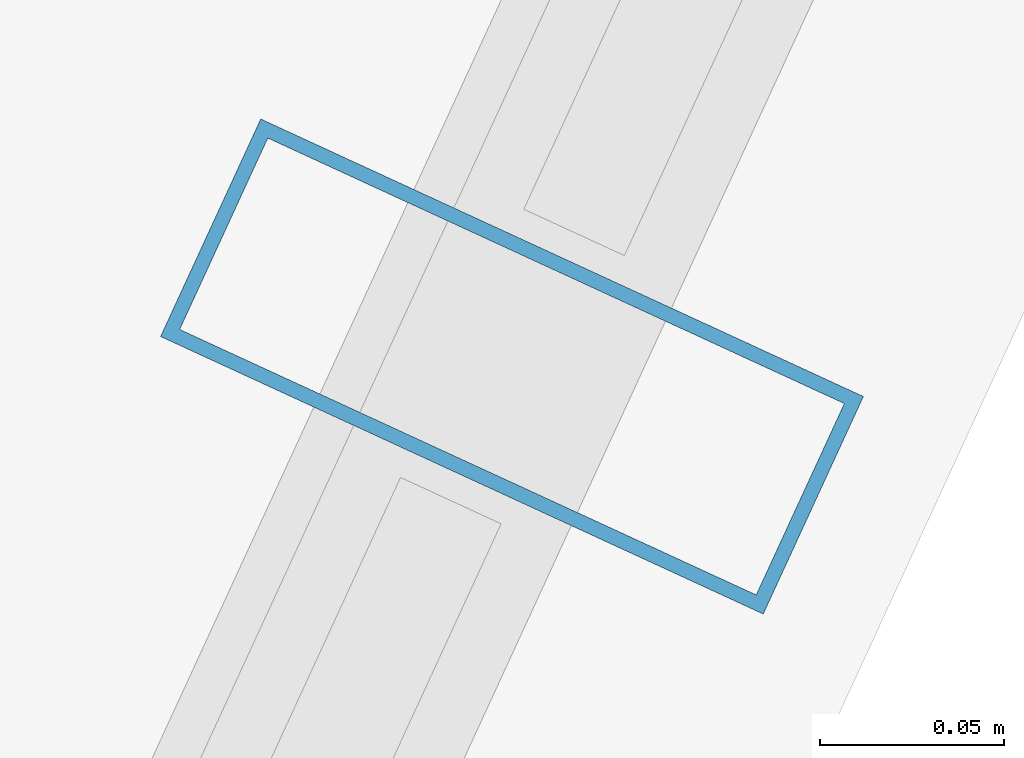
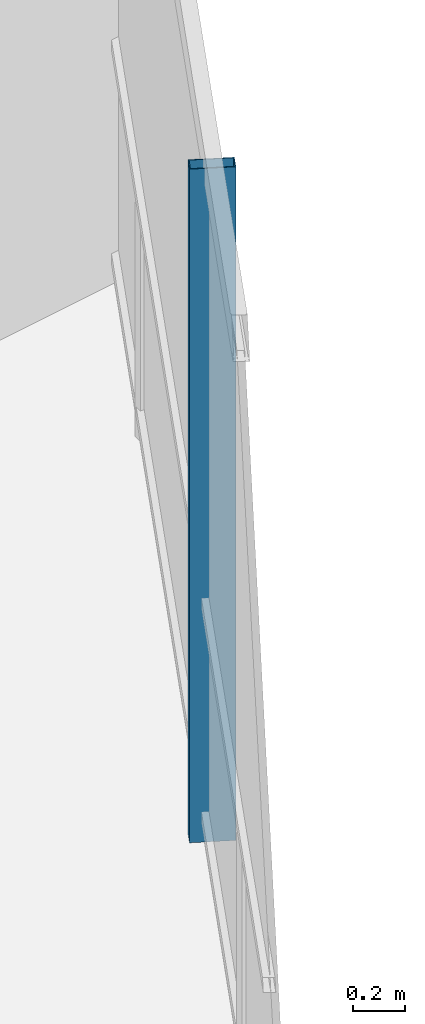
# One storey, part 14 of 30: 1 member, 1 element without a shape of its own.
"""IFC4 building model written with IfcOpenShell, lengths in metres."""

from ifc_helpers import new_model, si_unit, direction, frame, origin, origin_2d, place, context, subcontext, project, spatial, hollow_rectangle, extrude, material, layer, layer_set, material_profile, profile_set, type_object, element, aggregate, save


model = new_model("IFC4")

# Units and contexts
model_context = context("Model", 3, precision=1e-05, world=origin(), true_north=direction((0.0, 1.0)))
body_context = subcontext(model_context, "Body", "Model", "MODEL_VIEW")
ifc_project = project(units=[si_unit("LENGTHUNIT", "METRE"), si_unit("AREAUNIT", "SQUARE_METRE"), si_unit("VOLUMEUNIT", "CUBIC_METRE"), si_unit("PLANEANGLEUNIT", "RADIAN"), si_unit("MASSUNIT", "GRAM", prefix="KILO")], contexts=[model_context])

# Site, building, storey
site_placement = place(None, origin())
site = spatial("IfcSite", under=ifc_project, at=site_placement, CompositionType="ELEMENT")
building_placement = place(site_placement, origin())
building = spatial("IfcBuilding", under=site, at=building_placement, Name="Qarnah Convention Tower", CompositionType="ELEMENT")
storey_placement = place(building_placement, frame((0.0, 0.0, 86.699951171875)))
storey = spatial("IfcBuildingStorey", under=building, at=storey_placement, Name="L22", CompositionType="ELEMENT", Elevation=86.699951171875)

# Curtain wall, member
ifc_material_1 = material(Name="Tempered Low-E dark glass", Category="glass")
ifc_layer = layer(ifc_material_1, 0.169921875)
ifc_layer_set = layer_set([ifc_layer], Name="Tempered Low-E dark glass")
curtain_wall_type = type_object("IfcCurtainWallType", Name="CWS-02", PredefinedType="NOTDEFINED", material=ifc_layer_set)
curtain_wall_placement = place(storey_placement, origin())
curtain_wall = element("IfcCurtainWall", 1, at=curtain_wall_placement, inside=storey, type_object=curtain_wall_type, Name="L22 unitised curtain wall CW-L22-F3", PredefinedType="NOTDEFINED")
ifc_material_2 = material(Name="Black anodised aluminium", Category="aluminium")
ifc_material_profile = material_profile(ifc_material_2, hollow_rectangle(XDim=0.06494140625, YDim=0.179931640625, WallThickness=0.00390625, at=origin_2d()), Name="MUL-65X180")
ifc_profile_set = profile_set([ifc_material_profile], Name="Black anodised aluminium")
member_type = type_object("IfcMemberType", Name="MUL-T2", PredefinedType="MULLION", material=ifc_profile_set)
member_placement = place(storey_placement, frame((58.728515625, 27.646484375, 0.0), z_axis=(0.0, 0.0, 1.0), x_axis=(-0.418223177755, -0.908344303438, 0.0)))
member = element("IfcMember", 2, at=member_placement, type_object=member_type, Name="CW-L22-F3 mullion 2", PredefinedType="MULLION", context=body_context, shape_type="SweptSolid", body=[
    extrude(hollow_rectangle(XDim=0.06494140625, YDim=0.179931640625, WallThickness=0.00390625, at=origin_2d()), origin(), (0.0, 0.0, 1.0), 3.170166015625),
])
aggregate(curtain_wall, [member])

save(model, "model.ifc")
